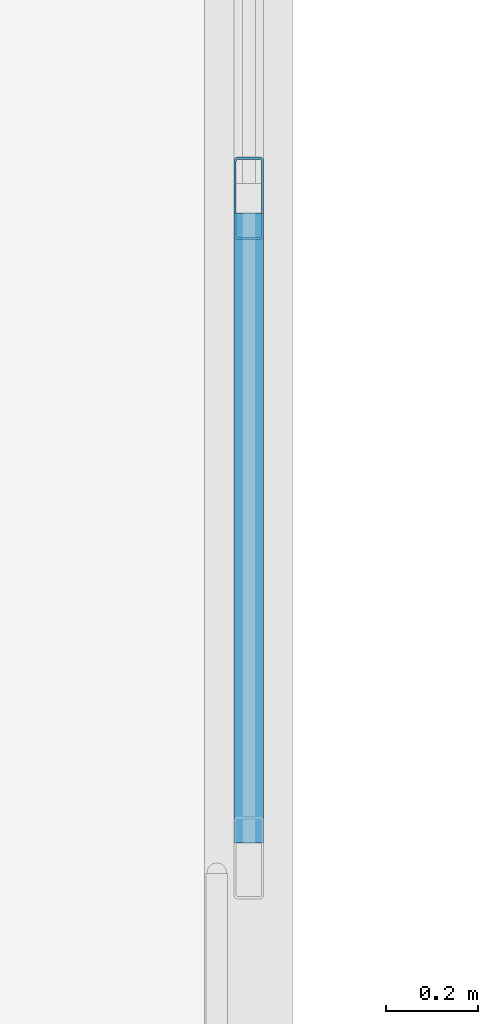
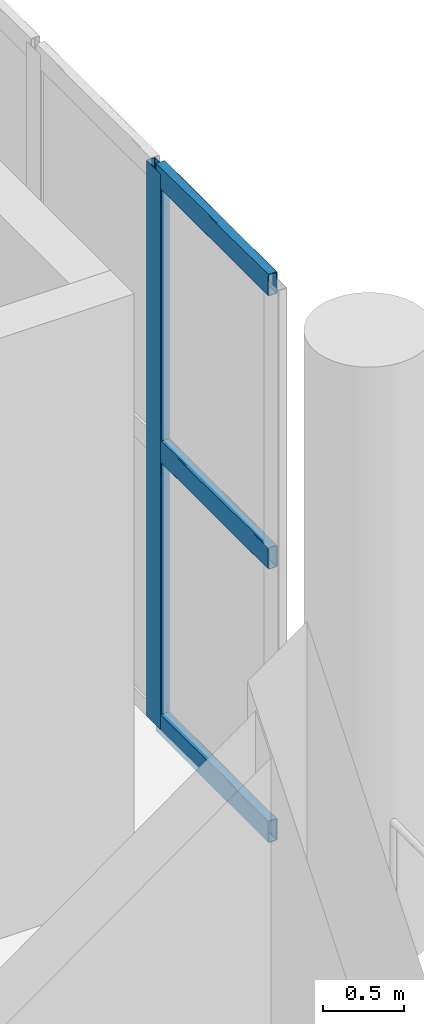
# One storey, part 44 of 90: 4 members, 1 element without a shape of its own.
"""IFC4 building model written with IfcOpenShell, lengths in metres."""

from ifc_helpers import new_model, si_unit, direction, frame, origin, origin_2d, place, context, subcontext, project, spatial, hollow_rectangle, extrude, material, layer, layer_set, material_profile, profile_set, type_object, element, aggregate, save


model = new_model("IFC4")

# Units and contexts
model_context = context("Model", 3, precision=1e-05, world=origin(), true_north=direction((0.0, 1.0)))
body_context = subcontext(model_context, "Body", "Model", "MODEL_VIEW")
ifc_project = project(units=[si_unit("LENGTHUNIT", "METRE"), si_unit("AREAUNIT", "SQUARE_METRE"), si_unit("VOLUMEUNIT", "CUBIC_METRE"), si_unit("PLANEANGLEUNIT", "RADIAN"), si_unit("MASSUNIT", "GRAM", prefix="KILO")], contexts=[model_context])

# Site, building, storey
site_placement = place(None, origin())
site = spatial("IfcSite", under=ifc_project, at=site_placement, CompositionType="ELEMENT")
building_placement = place(site_placement, origin())
building = spatial("IfcBuilding", under=site, at=building_placement, Name="Brinegate Civic Arena", CompositionType="ELEMENT")
storey_placement = place(building_placement, frame((0.0, 0.0, 14.699951171875)))
storey = spatial("IfcBuildingStorey", under=building, at=storey_placement, Name="L03", CompositionType="ELEMENT", Elevation=14.699951171875)

# Curtain wall, members
ifc_material = material(Name="Marine grade aluminium", Category="aluminium")
ifc_layer = layer(ifc_material, 0.199951171875, Name="Marine grade aluminium")
ifc_layer_set = layer_set([ifc_layer], Name="Marine grade aluminium")
curtain_wall_type = type_object("IfcCurtainWallType", Name="CW-BOWL-GLAZED-01", PredefinedType="USERDEFINED", material=ifc_layer_set)
curtain_wall_placement = place(storey_placement, origin())
curtain_wall = element("IfcCurtainWall", 1, at=curtain_wall_placement, inside=storey, type_object=curtain_wall_type, Name="Curtain Wall CWA-120", ObjectType="GLAZED CURTAIN WALL", PredefinedType="USERDEFINED")
ifc_material_profile_1 = material_profile(ifc_material, hollow_rectangle(XDim=0.06494140625, YDim=0.179931640625, WallThickness=0.0048828125, InnerFilletRadius=0.00390625, OuterFilletRadius=0.008056640625, at=origin_2d()), Name="MUL65X180")
ifc_profile_set_1 = profile_set([ifc_material_profile_1], Name="Marine grade aluminium")
member_type_1 = type_object("IfcMemberType", Name="CW-MULLION-65X180", PredefinedType="MULLION", material=ifc_profile_set_1)
member_1_placement = place(storey_placement, frame((168.0, 95.589111328125, 0.0), z_axis=(0.0, 0.0, 1.0), x_axis=(-1.0, 0.0, 0.0)))
member_1 = element("IfcMember", 2, at=member_1_placement, type_object=member_type_1, Name="CWA-120 mullion 2", PredefinedType="MULLION", context=body_context, shape_type="SweptSolid", body=[
    extrude(hollow_rectangle(XDim=0.06494140625, YDim=0.179931640625, WallThickness=0.0048828125, InnerFilletRadius=0.00390625, OuterFilletRadius=0.008056640625, at=origin_2d()), origin(), (0.0, 0.0, 1.0), 4.16015625),
])
ifc_material_profile_2 = material_profile(ifc_material, hollow_rectangle(XDim=0.06494140625, YDim=0.1650390625, WallThickness=0.0048828125, InnerFilletRadius=0.00390625, OuterFilletRadius=0.008056640625, at=origin_2d()), Name="TRN65X165")
ifc_profile_set_2 = profile_set([ifc_material_profile_2], Name="Marine grade aluminium")
member_type_2 = type_object("IfcMemberType", Name="CW-TRANSOM-65X165", PredefinedType="USERDEFINED", material=ifc_profile_set_2)
member_2_placement = place(storey_placement, frame((168.0, 94.180908203125, 0.032470703125), z_axis=(0.0, 1.0, 0.0), x_axis=(-1.0, 0.0, 0.0)))
member_2 = element("IfcMember", 3, at=member_2_placement, type_object=member_type_2, Name="CWA-120 transom 1.1", ObjectType="TRANSOM", PredefinedType="USERDEFINED", context=body_context, shape_type="SweptSolid", body=[
    extrude(hollow_rectangle(XDim=0.06494140625, YDim=0.1650390625, WallThickness=0.0048828125, InnerFilletRadius=0.00390625, OuterFilletRadius=0.008056640625, at=origin_2d()), origin(), (0.0, 0.0, 1.0), 1.375732421875),
])
member_3_placement = place(storey_placement, frame((168.0, 94.180908203125, 2.080078125), z_axis=(0.0, 1.0, 0.0), x_axis=(-1.0, 0.0, 0.0)))
member_3 = element("IfcMember", 4, at=member_3_placement, type_object=member_type_2, Name="CWA-120 transom 1.2", ObjectType="TRANSOM", PredefinedType="USERDEFINED", context=body_context, shape_type="SweptSolid", body=[
    extrude(hollow_rectangle(XDim=0.06494140625, YDim=0.1650390625, WallThickness=0.0048828125, InnerFilletRadius=0.00390625, OuterFilletRadius=0.008056640625, at=origin_2d()), origin(), (0.0, 0.0, 1.0), 1.375732421875),
])
member_4_placement = place(storey_placement, frame((168.0, 94.180908203125, 4.12744140625), z_axis=(0.0, 1.0, 0.0), x_axis=(-1.0, 0.0, 0.0)))
member_4 = element("IfcMember", 5, at=member_4_placement, type_object=member_type_2, Name="CWA-120 transom 1.3", ObjectType="TRANSOM", PredefinedType="USERDEFINED", context=body_context, shape_type="SweptSolid", body=[
    extrude(hollow_rectangle(XDim=0.06494140625, YDim=0.1650390625, WallThickness=0.0048828125, InnerFilletRadius=0.00390625, OuterFilletRadius=0.008056640625, at=origin_2d()), origin(), (0.0, 0.0, 1.0), 1.375732421875),
])
aggregate(curtain_wall, [member_1, member_2, member_3, member_4])

save(model, "model.ifc")
